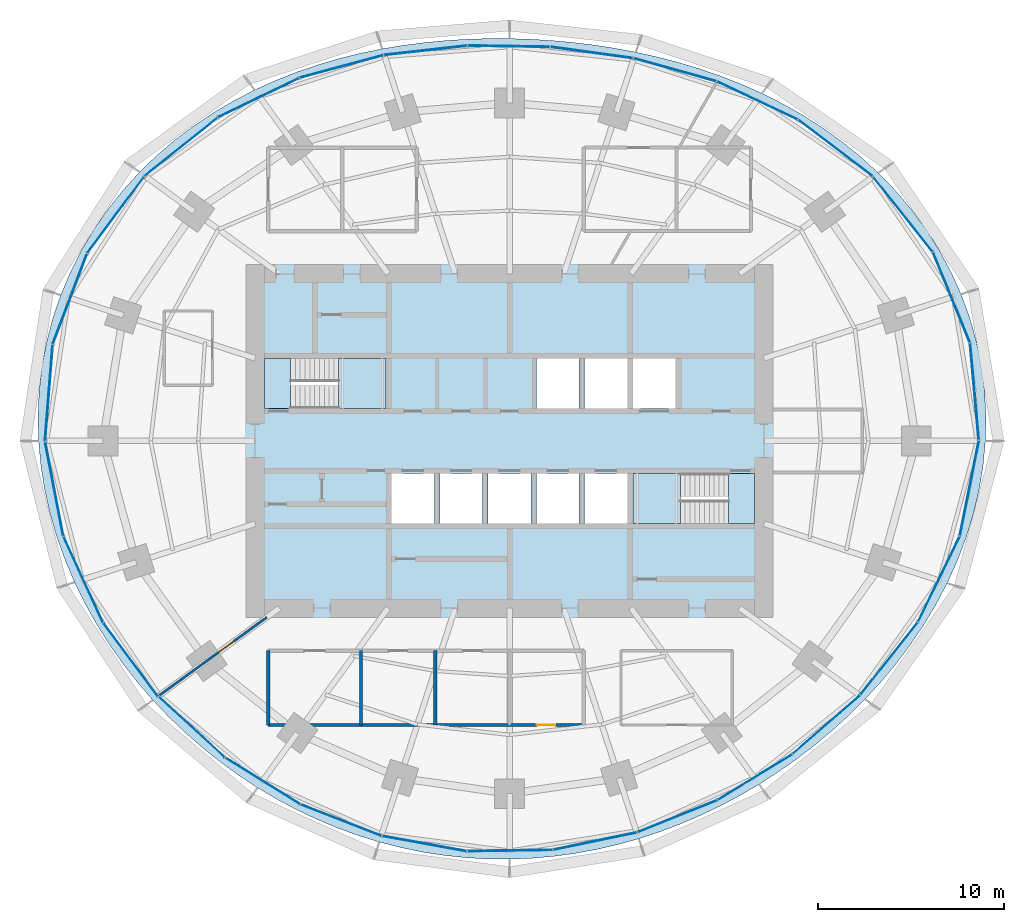
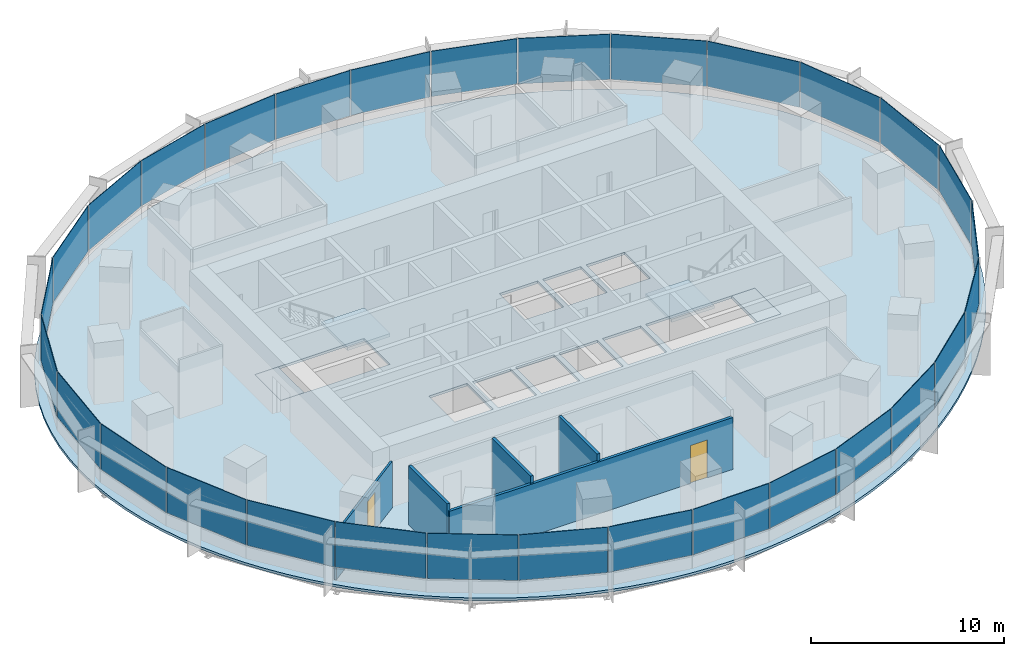
# One storey, part 9 of 14: 30 plates, 5 slabs, 5 walls, 2 doors, 2 openings, 8 elements without a shape of their own.
"""IFC4 building model written with IfcOpenShell, lengths in metres."""

from ifc_helpers import new_model, si_unit, direction, frame, frame_2d, origin, origin_2d, place, context, subcontext, project, spatial, polyline, rectangle, outline, extrude, material, layer, layer_set, type_object, element, fill, aggregate, save


model = new_model("IFC4")

# Units and contexts
model_context = context("Model", 3, precision=1e-05, world=origin(), true_north=direction((0.0, 1.0)))
body_context = subcontext(model_context, "Body", "Model", "MODEL_VIEW")
ifc_project = project(units=[si_unit("LENGTHUNIT", "METRE"), si_unit("AREAUNIT", "SQUARE_METRE"), si_unit("VOLUMEUNIT", "CUBIC_METRE"), si_unit("PLANEANGLEUNIT", "RADIAN"), si_unit("MASSUNIT", "GRAM", prefix="KILO")], contexts=[model_context])

# Site, building, storey
site_placement = place(None, origin())
site = spatial("IfcSite", under=ifc_project, at=site_placement, CompositionType="ELEMENT")
building_placement = place(site_placement, origin())
building = spatial("IfcBuilding", under=site, at=building_placement, Name="Marramba Exchange Tower", CompositionType="ELEMENT")
storey_placement = place(building_placement, frame((0.0, 0.0, 143.10009765625)))
storey = spatial("IfcBuildingStorey", under=building, at=storey_placement, Name="L34", CompositionType="ELEMENT", Elevation=143.10009765625)

# Slab
ifc_material_1 = material(Name="Concrete N40", Category="concrete")
ifc_layer_1 = layer(ifc_material_1, 0.159912109375)
ifc_layer_set_1 = layer_set([ifc_layer_1], Name="Composite floor slab 160")
slab_type_1 = type_object("IfcSlabType", Name="Composite floor slab 160", PredefinedType="FLOOR", material=ifc_layer_set_1)
slab_1_placement = place(storey_placement, frame((0.0, 0.0, -0.16015625)))
element("IfcSlab", 1, at=slab_1_placement, inside=storey, type_object=slab_type_1, Name="Floor slab L34", PredefinedType="FLOOR", context=body_context, shape_type="SweptSolid", body=[
    extrude(outline(polyline([(25.632080078125, 0.0), (25.66064453125, 1.3447265625), (25.59033203125, 2.689697265625), (25.420166015625, 4.026123046875), (25.15087890625, 5.345947265625), (24.7841796875, 6.640869140625), (24.322998046875, 7.903076171875), (23.771484375, 9.125), (23.135009765625, 10.30029296875), (22.419677734375, 11.42333984375), (21.632080078125, 12.4892578125), (20.779541015625, 13.494384765625), (19.869384765625, 14.43603515625), (18.9091796875, 15.3125), (17.90625, 16.122802734375), (16.86767578125, 16.86767578125), (15.800048828125, 17.5478515625), (14.70947265625, 18.164794921875), (13.6015625, 18.720947265625), (12.48095703125, 19.218994140625), (11.3515625, 19.66162109375), (10.217041015625, 20.05224609375), (9.079833984375, 20.393798828125), (7.94189453125, 20.689453125), (6.804443359375, 20.942138671875), (5.668212890625, 21.154296875), (4.533447265625, 21.328369140625), (3.39990234375, 21.46630859375), (2.26708984375, 21.5693359375), (1.134033203125, 21.63818359375), (0.0, 21.673095703125), (-1.135986328125, 21.673828125), (-2.2744140625, 21.6396484375), (-3.416259765625, 21.5693359375), (-4.5615234375, 21.460693359375), (-5.71044921875, 21.31201171875), (-6.8623046875, 21.1201171875), (-8.01611328125, 20.8828125), (-9.170166015625, 20.5966796875), (-10.322509765625, 20.2587890625), (-11.4697265625, 19.8662109375), (-12.60888671875, 19.415771484375), (-13.7353515625, 18.905029296875), (-14.8447265625, 18.331787109375), (-15.931640625, 17.69384765625), (-16.989990234375, 16.989990234375), (-18.013916015625, 16.2197265625), (-18.996826171875, 15.38330078125), (-19.931884765625, 14.4814453125), (-20.8125, 13.515869140625), (-21.632080078125, 12.4892578125), (-22.384033203125, 11.4052734375), (-23.0625, 10.26806640625), (-23.661865234375, 9.0830078125), (-24.177734375, 7.855712890625), (-24.605712890625, 6.593017578125), (-24.943603515625, 5.302001953125), (-25.18896484375, 3.989501953125), (-25.341064453125, 2.663330078125), (-25.400390625, 1.3310546875), (-25.367919921875, 0.0), (-25.246337890625, -1.322998046875), (-25.038818359375, -2.631591796875), (-24.748779296875, -3.919921875), (-24.381103515625, -5.182373046875), (-23.940185546875, -6.414794921875), (-23.431396484375, -7.61328125), (-22.859130859375, -8.77490234375), (-22.22900390625, -9.89697265625), (-21.545166015625, -10.977783203125), (-20.81201171875, -12.015869140625), (-20.033935546875, -13.010009765625), (-19.2138671875, -13.959716796875), (-18.35546875, -14.86376953125), (-17.461181640625, -15.72216796875), (-16.53369140625, -16.53369140625), (-15.5751953125, -17.298095703125), (-14.587646484375, -18.014404296875), (-13.5732421875, -18.681884765625), (-12.533203125, -19.299560546875), (-11.4697265625, -19.8662109375), (-10.384765625, -20.381103515625), (-9.27978515625, -20.8427734375), (-8.157470703125, -21.250732421875), (-7.019287109375, -21.603271484375), (-5.8681640625, -21.900146484375), (-4.7060546875, -22.14013671875), (-3.53564453125, -22.322998046875), (-2.359375, -22.448486328125), (-1.179931640625, -22.516357421875), (0.0, -22.52685546875), (1.17822265625, -22.480712890625), (2.35205078125, -22.3779296875), (3.519287109375, -22.22021484375), (4.677978515625, -22.0078125), (5.825927734375, -21.742431640625), (6.96142578125, -21.425048828125), (8.0830078125, -21.05712890625), (9.189453125, -20.639892578125), (10.279296875, -20.17431640625), (11.3515625, -19.66162109375), (12.4052734375, -19.1025390625), (13.439453125, -18.497802734375), (14.45263671875, -17.847412109375), (15.44384765625, -17.152099609375), (16.411376953125, -16.411376953125), (17.353515625, -15.625244140625), (18.267822265625, -14.79296875), (19.1513671875, -13.914306640625), (20.000732421875, -12.98876953125), (20.81201171875, -12.015869140625), (21.580810546875, -10.995849609375), (22.301513671875, -9.92919921875), (22.96875, -8.81689453125), (23.57666015625, -7.660400390625), (24.11865234375, -6.462646484375), (24.588623046875, -5.2265625), (24.980224609375, -3.95654296875), (25.2880859375, -2.657958984375), (25.5068359375, -1.336669921875), (25.632080078125, 0.0)]), holes=[polyline([(1.449951171875, 1.75), (3.75, 1.75), (3.75, 4.449951171875), (1.449951171875, 4.449951171875), (1.449951171875, 1.75)]), polyline([(4.050048828125, 1.75), (6.35009765625, 1.75), (6.35009765625, 4.449951171875), (4.050048828125, 4.449951171875), (4.050048828125, 1.75)]), polyline([(-6.35009765625, -4.449951171875), (-4.050048828125, -4.449951171875), (-4.050048828125, -1.75), (-6.35009765625, -1.75), (-6.35009765625, -4.449951171875)]), polyline([(-3.75, -4.449951171875), (-1.449951171875, -4.449951171875), (-1.449951171875, -1.75), (-3.75, -1.75), (-3.75, -4.449951171875)]), polyline([(-1.14990234375, -4.449951171875), (1.14990234375, -4.449951171875), (1.14990234375, -1.75), (-1.14990234375, -1.75), (-1.14990234375, -4.449951171875)]), polyline([(1.449951171875, -4.449951171875), (3.75, -4.449951171875), (3.75, -1.75), (1.449951171875, -1.75), (1.449951171875, -4.449951171875)]), polyline([(4.050048828125, -4.449951171875), (6.35009765625, -4.449951171875), (6.35009765625, -1.75), (4.050048828125, -1.75), (4.050048828125, -4.449951171875)]), polyline([(6.64990234375, 1.75), (8.949951171875, 1.75), (8.949951171875, 4.449951171875), (6.64990234375, 4.449951171875), (6.64990234375, 1.75)]), polyline([(-13.199951171875, 1.75), (-6.64990234375, 1.75), (-6.64990234375, 4.449951171875), (-13.199951171875, 4.449951171875), (-13.199951171875, 1.75)]), polyline([(6.64990234375, -4.449951171875), (13.199951171875, -4.449951171875), (13.199951171875, -1.75), (6.64990234375, -1.75), (6.64990234375, -4.449951171875)])]), origin(), (0.0, 0.0, 1.0), 0.16015625),
])

# Curtain wall, plates
ifc_material_2 = material(Name="Aluminium framing, bronze anodised", Category="aluminium")
curtain_wall_type = type_object("IfcCurtainWallType", Name="Office ribbon curtain wall", PredefinedType="USERDEFINED", material=ifc_material_2)
curtain_wall_1_placement = place(storey_placement, origin())
curtain_wall_1 = element("IfcCurtainWall", 2, at=curtain_wall_1_placement, inside=storey, type_object=curtain_wall_type, Name="Curtain wall CW4 L34 F01-F05", ObjectType="RIBBON CURTAIN WALL", PredefinedType="USERDEFINED")
ifc_material_3 = material(Name="Laminated double glazed unit 10.76 + 16 + 10.76, bronze tinted", Category="glass")
ifc_layer_2 = layer(ifc_material_3, 0.03759765625)
ifc_layer_set_2 = layer_set([ifc_layer_2], Name="Office ribbon curtain wall panel")
plate_type = type_object("IfcPlateType", Name="Office ribbon curtain wall panel", PredefinedType="CURTAIN_PANEL", material=ifc_layer_set_2)
plate_1_placement = place(storey_placement, frame((25.042724609375, 2.66650390625, 0.85986328125), z_axis=(0.0, 0.0, 1.0), x_axis=(-0.089412887889, 0.995994646311, 0.0)))
plate_1 = element("IfcPlate", 3, at=plate_1_placement, type_object=plate_type, Name="CW4 vision panel", PredefinedType="CURTAIN_PANEL", context=body_context, shape_type="SweptSolid", body=[
    extrude(rectangle(XDim=5.234375, YDim=0.03759765625, at=origin_2d()), origin(), (0.0, 0.0, 1.0), 2.8798828125),
])
plate_2_placement = place(storey_placement, frame((23.800537109375, 7.743408203125, 0.85986328125), z_axis=(0.0, 0.0, 1.0), x_axis=(-0.377821183171, 0.925878584668, 0.0)))
plate_2 = element("IfcPlate", 4, at=plate_2_placement, type_object=plate_type, Name="CW4 vision panel", PredefinedType="CURTAIN_PANEL", context=body_context, shape_type="SweptSolid", body=[
    extrude(rectangle(XDim=5.2158203125, YDim=0.03759765625, at=origin_2d()), origin(), (0.0, 0.0, 1.0), 2.8798828125),
])
plate_3_placement = place(storey_placement, frame((21.18212890625, 12.217529296875, 0.85986328125), z_axis=(0.0, 0.0, 1.0), x_axis=(-0.621312004611, 0.783563266703, 0.0)))
plate_3 = element("IfcPlate", 5, at=plate_3_placement, type_object=plate_type, Name="CW4 vision panel", PredefinedType="CURTAIN_PANEL", context=body_context, shape_type="SweptSolid", body=[
    extrude(rectangle(XDim=5.136962890625, YDim=0.03759765625, at=origin_2d()), origin(), (0.0, 0.0, 1.0), 2.8798828125),
])
plate_4_placement = place(storey_placement, frame((17.55224609375, 15.777099609375, 0.85986328125), z_axis=(0.0, 0.0, 1.0), x_axis=(-0.795971748366, 0.60533377223, 0.0)))
plate_4 = element("IfcPlate", 6, at=plate_4_placement, type_object=plate_type, Name="CW4 vision panel", PredefinedType="CURTAIN_PANEL", context=body_context, shape_type="SweptSolid", body=[
    extrude(rectangle(XDim=4.990966796875, YDim=0.03759765625, at=origin_2d()), origin(), (0.0, 0.0, 1.0), 2.8798828125),
])
plate_5_placement = place(storey_placement, frame((13.34423828125, 18.3359375, 0.85986328125), z_axis=(0.0, 0.0, 1.0), x_axis=(-0.904403137485, 0.426678995157, 0.0)))
plate_5 = element("IfcPlate", 7, at=plate_5_placement, type_object=plate_type, Name="CW4 vision panel", PredefinedType="CURTAIN_PANEL", context=body_context, shape_type="SweptSolid", body=[
    extrude(rectangle(XDim=4.793212890625, YDim=0.03759765625, at=origin_2d()), origin(), (0.0, 0.0, 1.0), 2.8798828125),
])
aggregate(curtain_wall_1, [plate_1, plate_2, plate_3, plate_4, plate_5])

curtain_wall_2_placement = place(storey_placement, origin())
curtain_wall_2 = element("IfcCurtainWall", 8, at=curtain_wall_2_placement, inside=storey, type_object=curtain_wall_type, Name="Curtain wall CW4 L34 F06-F10", ObjectType="RIBBON CURTAIN WALL", PredefinedType="USERDEFINED")
plate_6_placement = place(storey_placement, frame((8.907470703125, 19.991943359375, 0.85986328125), z_axis=(0.0, 0.0, 1.0), x_axis=(-0.963177845956, 0.268865090816, 0.0)))
plate_6 = element("IfcPlate", 9, at=plate_6_placement, type_object=plate_type, Name="CW4 vision panel", PredefinedType="CURTAIN_PANEL", context=body_context, shape_type="SweptSolid", body=[
    extrude(rectangle(XDim=4.591552734375, YDim=0.03759765625, at=origin_2d()), origin(), (0.0, 0.0, 1.0), 2.8798828125),
])
plate_7_placement = place(storey_placement, frame((4.43359375, 20.919189453125, 0.85986328125), z_axis=(0.0, 0.0, 1.0), x_axis=(-0.990738212841, 0.135785837319, 0.0)))
plate_7 = element("IfcPlate", 10, at=plate_7_placement, type_object=plate_type, Name="CW4 vision panel", PredefinedType="CURTAIN_PANEL", context=body_context, shape_type="SweptSolid", body=[
    extrude(rectangle(XDim=4.447509765625, YDim=0.03759765625, at=origin_2d()), origin(), (0.0, 0.0, 1.0), 2.8798828125),
])
plate_8_placement = place(storey_placement, frame((-0.03369140625, 21.2568359375, 0.85986328125), z_axis=(0.0, 0.0, 1.0), x_axis=(-0.999875869968, 0.01575578169, 0.0)))
plate_8 = element("IfcPlate", 11, at=plate_8_placement, type_object=plate_type, Name="CW4 vision panel", PredefinedType="CURTAIN_PANEL", context=body_context, shape_type="SweptSolid", body=[
    extrude(rectangle(XDim=4.408935546875, YDim=0.03759765625, at=origin_2d()), origin(), (0.0, 0.0, 1.0), 2.8798828125),
])
plate_9_placement = place(storey_placement, frame((-4.52587890625, 21.0361328125, 0.85986328125), z_axis=(0.0, 0.0, 1.0), x_axis=(-0.993823395532, -0.110973233233, 0.0)))
plate_9 = element("IfcPlate", 12, at=plate_9_placement, type_object=plate_type, Name="CW4 vision panel", PredefinedType="CURTAIN_PANEL", context=body_context, shape_type="SweptSolid", body=[
    extrude(rectangle(XDim=4.484375, YDim=0.03759765625, at=origin_2d()), origin(), (0.0, 0.0, 1.0), 2.8798828125),
])
plate_10_placement = place(storey_placement, frame((-9.053466796875, 20.16748046875, 0.85986328125), z_axis=(0.0, 0.0, 1.0), x_axis=(-0.965522047176, -0.260321294588, 0.0)))
plate_10 = element("IfcPlate", 13, at=plate_10_placement, type_object=plate_type, Name="CW4 vision panel", PredefinedType="CURTAIN_PANEL", context=body_context, shape_type="SweptSolid", body=[
    extrude(rectangle(XDim=4.642578125, YDim=0.03759765625, at=origin_2d()), origin(), (0.0, 0.0, 1.0), 2.8798828125),
])
aggregate(curtain_wall_2, [plate_6, plate_7, plate_8, plate_9, plate_10])

curtain_wall_3_placement = place(storey_placement, origin())
curtain_wall_3 = element("IfcCurtainWall", 14, at=curtain_wall_3_placement, inside=storey, type_object=curtain_wall_type, Name="Curtain wall CW4 L34 F11-F15", ObjectType="RIBBON CURTAIN WALL", PredefinedType="USERDEFINED")
plate_11_placement = place(storey_placement, frame((-13.52294921875, 18.4853515625, 0.85986328125), z_axis=(0.0, 0.0, 1.0), x_axis=(-0.900223739881, -0.435427626771, 0.0)))
plate_11 = element("IfcPlate", 15, at=plate_11_placement, type_object=plate_type, Name="CW4 vision panel", PredefinedType="CURTAIN_PANEL", context=body_context, shape_type="SweptSolid", body=[
    extrude(rectangle(XDim=4.83056640625, YDim=0.03759765625, at=origin_2d()), origin(), (0.0, 0.0, 1.0), 2.8798828125),
])
plate_12_placement = place(storey_placement, frame((-17.696533203125, 15.8359375, 0.85986328125), z_axis=(0.0, 0.0, 1.0), x_axis=(-0.78117833008, -0.624307950145, 0.0)))
plate_12 = element("IfcPlate", 16, at=plate_12_placement, type_object=plate_type, Name="CW4 vision panel", PredefinedType="CURTAIN_PANEL", context=body_context, shape_type="SweptSolid", body=[
    extrude(rectangle(XDim=4.998291015625, YDim=0.03759765625, at=origin_2d()), origin(), (0.0, 0.0, 1.0), 2.8798828125),
])
plate_13_placement = place(storey_placement, frame((-21.213623046875, 12.1767578125, 0.85986328125), z_axis=(0.0, 0.0, 1.0), x_axis=(-0.597703997504, -0.80171686484, 0.0)))
plate_13 = element("IfcPlate", 17, at=plate_13_placement, type_object=plate_type, Name="CW4 vision panel", PredefinedType="CURTAIN_PANEL", context=body_context, shape_type="SweptSolid", body=[
    extrude(rectangle(XDim=5.116455078125, YDim=0.03759765625, at=origin_2d()), origin(), (0.0, 0.0, 1.0), 2.8798828125),
])
plate_14_placement = place(storey_placement, frame((-23.6826171875, 7.6494140625, 0.85986328125), z_axis=(0.0, 0.0, 1.0), x_axis=(-0.354844468484, -0.934925346317, 0.0)))
plate_14 = element("IfcPlate", 18, at=plate_14_placement, type_object=plate_type, Name="CW4 vision panel", PredefinedType="CURTAIN_PANEL", context=body_context, shape_type="SweptSolid", body=[
    extrude(rectangle(XDim=5.177490234375, YDim=0.03759765625, at=origin_2d()), origin(), (0.0, 0.0, 1.0), 2.8798828125),
])
plate_15_placement = place(storey_placement, frame((-24.81201171875, 2.584716796875, 0.85986328125), z_axis=(0.0, 0.0, 1.0), x_axis=(-0.079459696383, -0.996838079455, 0.0)))
plate_15 = element("IfcPlate", 19, at=plate_15_placement, type_object=plate_type, Name="CW4 vision panel", PredefinedType="CURTAIN_PANEL", context=body_context, shape_type="SweptSolid", body=[
    extrude(rectangle(XDim=5.185791015625, YDim=0.03759765625, at=origin_2d()), origin(), (0.0, 0.0, 1.0), 2.8798828125),
])
aggregate(curtain_wall_3, [plate_11, plate_12, plate_13, plate_14, plate_15])

curtain_wall_4_placement = place(storey_placement, origin())
curtain_wall_4 = element("IfcCurtainWall", 20, at=curtain_wall_4_placement, inside=storey, type_object=curtain_wall_type, Name="Curtain wall CW4 L34 F16-F20", ObjectType="RIBBON CURTAIN WALL", PredefinedType="USERDEFINED")
plate_16_placement = place(storey_placement, frame((-24.522705078125, -2.584228515625, 0.85986328125), z_axis=(0.0, 0.0, 1.0), x_axis=(0.18822721487, -0.982125509078, 0.0)))
plate_16 = element("IfcPlate", 21, at=plate_16_placement, type_object=plate_type, Name="CW4 vision panel", PredefinedType="CURTAIN_PANEL", context=body_context, shape_type="SweptSolid", body=[
    extrude(rectangle(XDim=5.142578125, YDim=0.03759765625, at=origin_2d()), origin(), (0.0, 0.0, 1.0), 2.8798828125),
])
plate_17_placement = place(storey_placement, frame((-22.96142578125, -7.45947265625, 0.85986328125), z_axis=(0.0, 0.0, 1.0), x_axis=(0.416737848929, -0.909026713177, 0.0)))
plate_17 = element("IfcPlate", 22, at=plate_17_placement, type_object=plate_type, Name="CW4 vision panel", PredefinedType="CURTAIN_PANEL", context=body_context, shape_type="SweptSolid", body=[
    extrude(rectangle(XDim=5.0498046875, YDim=0.03759765625, at=origin_2d()), origin(), (0.0, 0.0, 1.0), 2.8798828125),
])
plate_18_placement = place(storey_placement, frame((-20.402099609375, -11.7783203125, 0.85986328125), z_axis=(0.0, 0.0, 1.0), x_axis=(0.597304697033, -0.802014400683, 0.0)))
plate_18 = element("IfcPlate", 23, at=plate_18_placement, type_object=plate_type, Name="CW4 vision panel", PredefinedType="CURTAIN_PANEL", context=body_context, shape_type="SweptSolid", body=[
    extrude(rectangle(XDim=4.926513671875, YDim=0.03759765625, at=origin_2d()), origin(), (0.0, 0.0, 1.0), 2.8798828125),
])
plate_19_placement = place(storey_placement, frame((-17.11376953125, -15.416259765625, 0.85986328125), z_axis=(0.0, 0.0, 1.0), x_axis=(0.737821886077, -0.674995455115, 0.0)))
plate_19 = element("IfcPlate", 24, at=plate_19_placement, type_object=plate_type, Name="CW4 vision panel", PredefinedType="CURTAIN_PANEL", context=body_context, shape_type="SweptSolid", body=[
    extrude(rectangle(XDim=4.80517578125, YDim=0.03759765625, at=origin_2d()), origin(), (0.0, 0.0, 1.0), 2.8798828125),
])
plate_20_placement = place(storey_placement, frame((-13.29248046875, -18.31640625, 0.85986328125), z_axis=(0.0, 0.0, 1.0), x_axis=(0.84835459748, -0.52942844364, 0.0)))
plate_20 = element("IfcPlate", 25, at=plate_20_placement, type_object=plate_type, Name="CW4 vision panel", PredefinedType="CURTAIN_PANEL", context=body_context, shape_type="SweptSolid", body=[
    extrude(rectangle(XDim=4.70947265625, YDim=0.03759765625, at=origin_2d()), origin(), (0.0, 0.0, 1.0), 2.8798828125),
])
aggregate(curtain_wall_4, [plate_16, plate_17, plate_18, plate_19, plate_20])

curtain_wall_5_placement = place(storey_placement, origin())
curtain_wall_5 = element("IfcCurtainWall", 26, at=curtain_wall_5_placement, inside=storey, type_object=curtain_wall_type, Name="Curtain wall CW4 L34 F21-F25", ObjectType="RIBBON CURTAIN WALL", PredefinedType="USERDEFINED")
plate_21_placement = place(storey_placement, frame((-9.074951171875, -20.427734375, 0.85986328125), z_axis=(0.0, 0.0, 1.0), x_axis=(0.931818390344, -0.36292490603, 0.0)))
plate_21 = element("IfcPlate", 27, at=plate_21_placement, type_object=plate_type, Name="CW4 vision panel", PredefinedType="CURTAIN_PANEL", context=body_context, shape_type="SweptSolid", body=[
    extrude(rectangle(XDim=4.644287109375, YDim=0.03759765625, at=origin_2d()), origin(), (0.0, 0.0, 1.0), 2.8798828125),
])
plate_22_placement = place(storey_placement, frame((-4.58740234375, -21.690673828125, 0.85986328125), z_axis=(0.0, 0.0, 1.0), x_axis=(0.984031865834, -0.177992379115, 0.0)))
plate_22 = element("IfcPlate", 28, at=plate_22_placement, type_object=plate_type, Name="CW4 vision panel", PredefinedType="CURTAIN_PANEL", context=body_context, shape_type="SweptSolid", body=[
    extrude(rectangle(XDim=4.602783203125, YDim=0.03759765625, at=origin_2d()), origin(), (0.0, 0.0, 1.0), 2.8798828125),
])
plate_23_placement = place(storey_placement, frame((0.0263671875, -22.064697265625, 0.85986328125), z_axis=(0.0, 0.0, 1.0), x_axis=(0.999884797709, 0.015178646521, 0.0)))
plate_23 = element("IfcPlate", 29, at=plate_23_placement, type_object=plate_type, Name="CW4 vision panel", PredefinedType="CURTAIN_PANEL", context=body_context, shape_type="SweptSolid", body=[
    extrude(rectangle(XDim=4.578857421875, YDim=0.03759765625, at=origin_2d()), origin(), (0.0, 0.0, 1.0), 2.8798828125),
])
plate_24_placement = place(storey_placement, frame((4.61376953125, -21.554931640625, 0.85986328125), z_axis=(0.0, 0.0, 1.0), x_axis=(0.979310199794, 0.202364850159, 0.0)))
plate_24 = element("IfcPlate", 30, at=plate_24_placement, type_object=plate_type, Name="CW4 vision panel", PredefinedType="CURTAIN_PANEL", context=body_context, shape_type="SweptSolid", body=[
    extrude(rectangle(XDim=4.57373046875, YDim=0.03759765625, at=origin_2d()), origin(), (0.0, 0.0, 1.0), 2.8798828125),
])
plate_25_placement = place(storey_placement, frame((9.042724609375, -20.214111328125, 0.85986328125), z_axis=(0.0, 0.0, 1.0), x_axis=(0.928148916059, 0.372209067082, 0.0)))
plate_25 = element("IfcPlate", 31, at=plate_25_placement, type_object=plate_type, Name="CW4 vision panel", PredefinedType="CURTAIN_PANEL", context=body_context, shape_type="SweptSolid", body=[
    extrude(rectangle(XDim=4.59814453125, YDim=0.03759765625, at=origin_2d()), origin(), (0.0, 0.0, 1.0), 2.8798828125),
])
aggregate(curtain_wall_5, [plate_21, plate_22, plate_23, plate_24, plate_25])

curtain_wall_6_placement = place(storey_placement, origin())
curtain_wall_6 = element("IfcCurtainWall", 32, at=curtain_wall_6_placement, inside=storey, type_object=curtain_wall_type, Name="Curtain wall CW4 L34 F26-F30", ObjectType="RIBBON CURTAIN WALL", PredefinedType="USERDEFINED")
plate_26_placement = place(storey_placement, frame((13.21875, -18.109619140625, 0.85986328125), z_axis=(0.0, 0.0, 1.0), x_axis=(0.853109114492, 0.521732535664, 0.0)))
plate_26 = element("IfcPlate", 33, at=plate_26_placement, type_object=plate_type, Name="CW4 vision panel", PredefinedType="CURTAIN_PANEL", context=body_context, shape_type="SweptSolid", body=[
    extrude(rectangle(XDim=4.66748046875, YDim=0.03759765625, at=origin_2d()), origin(), (0.0, 0.0, 1.0), 2.8798828125),
])
plate_27_placement = place(storey_placement, frame((17.0615234375, -15.280517578125, 0.85986328125), z_axis=(0.0, 0.0, 1.0), x_axis=(0.754385506384, 0.656431647438, 0.0)))
plate_27 = element("IfcPlate", 34, at=plate_27_placement, type_object=plate_type, Name="CW4 vision panel", PredefinedType="CURTAIN_PANEL", context=body_context, shape_type="SweptSolid", body=[
    extrude(rectangle(XDim=4.789794921875, YDim=0.03759765625, at=origin_2d()), origin(), (0.0, 0.0, 1.0), 2.8798828125),
])
plate_28_placement = place(storey_placement, frame((20.443603515625, -11.724365234375, 0.85986328125), z_axis=(0.0, 0.0, 1.0), x_axis=(0.621807472329, 0.783170139469, 0.0)))
plate_28 = element("IfcPlate", 35, at=plate_28_placement, type_object=plate_type, Name="CW4 vision panel", PredefinedType="CURTAIN_PANEL", context=body_context, shape_type="SweptSolid", body=[
    extrude(rectangle(XDim=4.947265625, YDim=0.03759765625, at=origin_2d()), origin(), (0.0, 0.0, 1.0), 2.8798828125),
])
plate_29_placement = place(storey_placement, frame((23.127197265625, -7.443359375, 0.85986328125), z_axis=(0.0, 0.0, 1.0), x_axis=(0.439086342308, 0.89844486976, 0.0)))
plate_29 = element("IfcPlate", 36, at=plate_29_placement, type_object=plate_type, Name="CW4 vision panel", PredefinedType="CURTAIN_PANEL", context=body_context, shape_type="SweptSolid", body=[
    extrude(rectangle(XDim=5.096923828125, YDim=0.03759765625, at=origin_2d()), origin(), (0.0, 0.0, 1.0), 2.8798828125),
])
plate_30_placement = place(storey_placement, frame((24.77001953125, -2.54736328125, 0.85986328125), z_axis=(0.0, 0.0, 1.0), x_axis=(0.197048511267, 0.980393739376, 0.0)))
plate_30 = element("IfcPlate", 37, at=plate_30_placement, type_object=plate_type, Name="CW4 vision panel", PredefinedType="CURTAIN_PANEL", context=body_context, shape_type="SweptSolid", body=[
    extrude(rectangle(XDim=5.19677734375, YDim=0.03759765625, at=origin_2d()), origin(), (0.0, 0.0, 1.0), 2.8798828125),
])
aggregate(curtain_wall_6, [plate_26, plate_27, plate_28, plate_29, plate_30])

# Stair, slabs
ifc_material_4 = material(Name="Concrete N40 (40 MPa)", Category="concrete")
stair_type_1 = type_object("IfcStairType", Name="Exit stair ST1 3900 x 1250", PredefinedType="HALF_TURN_STAIR", material=ifc_material_4)
stair_1_placement = place(storey_placement, origin())
stair_1 = element("IfcStair", 38, at=stair_1_placement, inside=storey, type_object=stair_type_1, Name="Exit stair ST1 L34", PredefinedType="HALF_TURN_STAIR")
ifc_layer_3 = layer(ifc_material_4, 0.199951171875)
ifc_layer_set_3 = layer_set([ifc_layer_3], Name="Stair landing 200")
slab_type_2 = type_object("IfcSlabType", Name="Stair landing 200", PredefinedType="LANDING", material=ifc_layer_set_3)
slab_2_placement = place(storey_placement, frame((0.0, 0.0, -0.2001953125)))
slab_2 = element("IfcSlab", 39, at=slab_2_placement, type_object=slab_type_2, Name="ST1 landing 1", PredefinedType="LANDING", context=body_context, shape_type="SweptSolid", body=[
    extrude(outline(polyline([(-13.199951171875, 1.75), (-11.800048828125, 1.75), (-11.800048828125, 4.449951171875), (-13.199951171875, 4.449951171875), (-13.199951171875, 1.75)])), origin(), (0.0, 0.0, 1.0), 0.2001953125),
])
slab_3_placement = place(storey_placement, frame((0.0, 0.0, 1.75)))
slab_3 = element("IfcSlab", 40, at=slab_3_placement, type_object=slab_type_2, Name="ST1 landing 2", PredefinedType="LANDING", context=body_context, shape_type="SweptSolid", body=[
    extrude(outline(polyline([(-9.199951171875, 1.75), (-6.64990234375, 1.75), (-6.64990234375, 4.449951171875), (-9.199951171875, 4.449951171875), (-9.199951171875, 1.75)])), origin(), (0.0, 0.0, 1.0), 0.199951171875),
])
aggregate(stair_1, [slab_2, slab_3])

stair_type_2 = type_object("IfcStairType", Name="Exit stair ST2 3900 x 1250", PredefinedType="HALF_TURN_STAIR", material=ifc_material_4)
stair_2_placement = place(storey_placement, origin())
stair_2 = element("IfcStair", 41, at=stair_2_placement, inside=storey, type_object=stair_type_2, Name="Exit stair ST2 L34", PredefinedType="HALF_TURN_STAIR")
slab_4_placement = place(storey_placement, frame((0.0, 0.0, -0.2001953125)))
slab_4 = element("IfcSlab", 42, at=slab_4_placement, type_object=slab_type_2, Name="ST2 landing 1", PredefinedType="LANDING", context=body_context, shape_type="SweptSolid", body=[
    extrude(outline(polyline([(11.800048828125, -4.449951171875), (13.199951171875, -4.449951171875), (13.199951171875, -1.75), (11.800048828125, -1.75), (11.800048828125, -4.449951171875)])), origin(), (0.0, 0.0, 1.0), 0.2001953125),
])
slab_5_placement = place(storey_placement, frame((0.0, 0.0, 1.75)))
slab_5 = element("IfcSlab", 43, at=slab_5_placement, type_object=slab_type_2, Name="ST2 landing 2", PredefinedType="LANDING", context=body_context, shape_type="SweptSolid", body=[
    extrude(outline(polyline([(6.64990234375, -4.449951171875), (9.199951171875, -4.449951171875), (9.199951171875, -1.75), (6.64990234375, -1.75), (6.64990234375, -4.449951171875)])), origin(), (0.0, 0.0, 1.0), 0.199951171875),
])
aggregate(stair_2, [slab_4, slab_5])

# Walls
ifc_material_5 = material(Name="Plasterboard on staggered double steel studs, acoustic insulation", Category="steel")
ifc_layer_4 = layer(ifc_material_5, 0.169921875)
ifc_layer_set_4 = layer_set([ifc_layer_4], Name="Acoustic partition 170")
wall_type_1 = type_object("IfcWallType", Name="Acoustic partition 170", PredefinedType="PARTITIONING", material=ifc_layer_set_4)
for number, where, z_axis, x_axis, name in (
    (44, (-13.0, -15.300048828125, 0.0), (0.0, 0.0, 1.0), (0.0, 1.0, 0.0), "Acoustic partition L34 02"),
    (45, (-8.0, -11.300048828125, 0.0), (0.0, 0.0, 1.0), (0.0, -1.0, 0.0), "Acoustic partition L34 03"),
    (46, (-4.0, -11.300048828125, 0.0), (0.0, 0.0, 1.0), (0.0, -1.0, 0.0), "Acoustic partition L34 05"),
):
    element("IfcWall", number, at=place(storey_placement, frame(where, z_axis=z_axis, x_axis=x_axis)), inside=storey, type_object=wall_type_1, Name=name, PredefinedType="PARTITIONING", context=body_context, shape_type="SweptSolid", body=[
        extrude(rectangle(XDim=4.0, YDim=0.169921875, at=frame_2d((2.0, 0.0))), origin(), (0.0, 0.0, 1.0), 3.739990234375),
    ])

# Wall, opening, door
wall_1_placement = place(storey_placement, frame((4.0, -15.300048828125, 0.0), z_axis=(0.0, 0.0, 1.0), x_axis=(-1.0, 0.0, 0.0)))
wall_1 = element("IfcWall", 47, at=wall_1_placement, inside=storey, type_object=wall_type_1, Name="Acoustic partition L34 06", PredefinedType="PARTITIONING", context=body_context, shape_type="SweptSolid", body=[
    extrude(rectangle(XDim=17.0, YDim=0.169921875, at=frame_2d((8.5, 0.0))), origin(), (0.0, 0.0, 1.0), 3.285888671875),
])
opening_1_placement = place(wall_1_placement, frame((1.52587890625, 0.0, 0.0)))
opening_1 = element("IfcOpeningElement", 48, at=opening_1_placement, cuts=wall_1, Name="Opening D9", PredefinedType="OPENING", context=body_context, shape_type="SweptSolid", body=[
    extrude(rectangle(XDim=1.0, YDim=2.39990234375, at=frame_2d((0.5, 1.199951171875))), frame((0.0, 0.094970703125, 0.0), z_axis=(0.0, -1.0, 0.0), x_axis=(1.0, 0.0, 0.0)), (0.0, 0.0, 1.0), 0.18994140625),
])
ifc_material_6 = material(Name="Timber door", Category="wood")
door_type = type_object("IfcDoorType", Name="Room door 1000x2400", OperationType="SINGLE_SWING_LEFT", PredefinedType="DOOR", material=ifc_material_6)
door_1_placement = place(opening_1_placement, frame((1.0, 0.0, 0.0), z_axis=(0.0, 0.0, 1.0), x_axis=(-1.0, 0.0, 0.0)))
door_1 = element("IfcDoor", 49, at=door_1_placement, inside=storey, type_object=door_type, Name="D9 Quiet Room 3 L34", OperationType="SINGLE_SWING_LEFT", OverallHeight=2.39990234375, OverallWidth=1.0, PredefinedType="DOOR", context=body_context, shape_type="SweptSolid", body=[
    extrude(rectangle(XDim=1.0, YDim=2.39990234375, at=frame_2d((0.5, 1.199951171875))), frame((0.0, 0.025146484375, 0.0), z_axis=(0.0, -1.0, 0.0), x_axis=(1.0, 0.0, 0.0)), (0.0, 0.0, 1.0), 0.050048828125),
])
fill(opening_1, door_1)

ifc_material_7 = material(Name="Plasterboard on steel studs", Category="steel")
ifc_layer_5 = layer(ifc_material_7, 0.1201171875)
ifc_layer_set_5 = layer_set([ifc_layer_5], Name="Partition 120")
wall_type_2 = type_object("IfcWallType", Name="Partition 120", PredefinedType="PARTITIONING", material=ifc_layer_set_5)
wall_2_placement = place(storey_placement, frame((-13.07568359375, -9.5, 0.0), z_axis=(0.0, 0.0, 1.0), x_axis=(-0.809023630932, -0.587776117747, 0.0)))
wall_2 = element("IfcWall", 50, at=wall_2_placement, inside=storey, type_object=wall_type_2, Name="Partition L34 01", PredefinedType="PARTITIONING", context=body_context, shape_type="SweptSolid", body=[
    extrude(rectangle(XDim=7.1572265625, YDim=0.1201171875, at=frame_2d((3.57861328125, 0.0))), origin(), (0.0, 0.0, 1.0), 2.93994140625),
])
opening_2_placement = place(wall_2_placement, frame((2.201904296875, 0.0, 0.0)))
opening_2 = element("IfcOpeningElement", 51, at=opening_2_placement, cuts=wall_2, Name="Opening D9", PredefinedType="OPENING", context=body_context, shape_type="SweptSolid", body=[
    extrude(rectangle(XDim=1.0, YDim=2.39990234375, at=frame_2d((0.5, 1.199951171875))), frame((0.0, 0.070068359375, 0.0), z_axis=(0.0, -1.0, 0.0), x_axis=(1.0, 0.0, 0.0)), (0.0, 0.0, 1.0), 0.14013671875),
])
door_2_placement = place(opening_2_placement, frame((1.0, 0.0, 0.0), z_axis=(0.0, 0.0, 1.0), x_axis=(-1.0, 0.0, 0.0)))
door_2 = element("IfcDoor", 52, at=door_2_placement, inside=storey, type_object=door_type, Name="D9 Software Development Office L34", OperationType="SINGLE_SWING_RIGHT", OverallHeight=2.39990234375, OverallWidth=1.0, PredefinedType="DOOR", context=body_context, shape_type="SweptSolid", body=[
    extrude(rectangle(XDim=1.0, YDim=2.39990234375, at=frame_2d((0.5, 1.199951171875))), frame((0.0, 0.025146484375, 0.0), z_axis=(0.0, -1.0, 0.0), x_axis=(1.0, 0.0, 0.0)), (0.0, 0.0, 1.0), 0.050048828125),
])
fill(opening_2, door_2)

save(model, "model.ifc")
